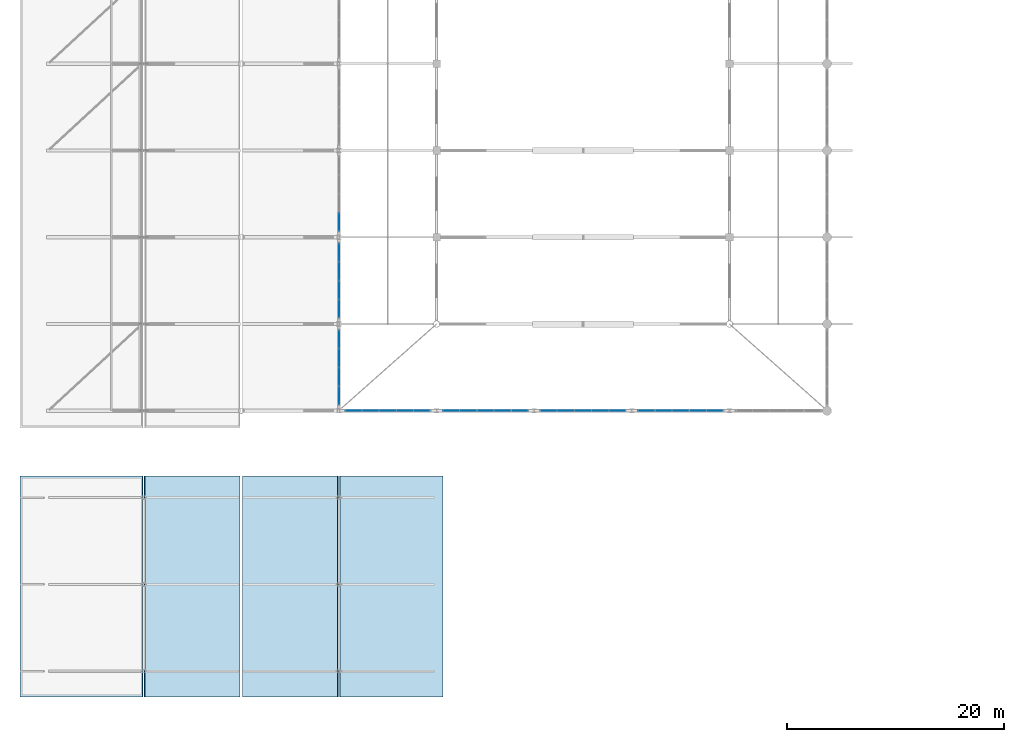
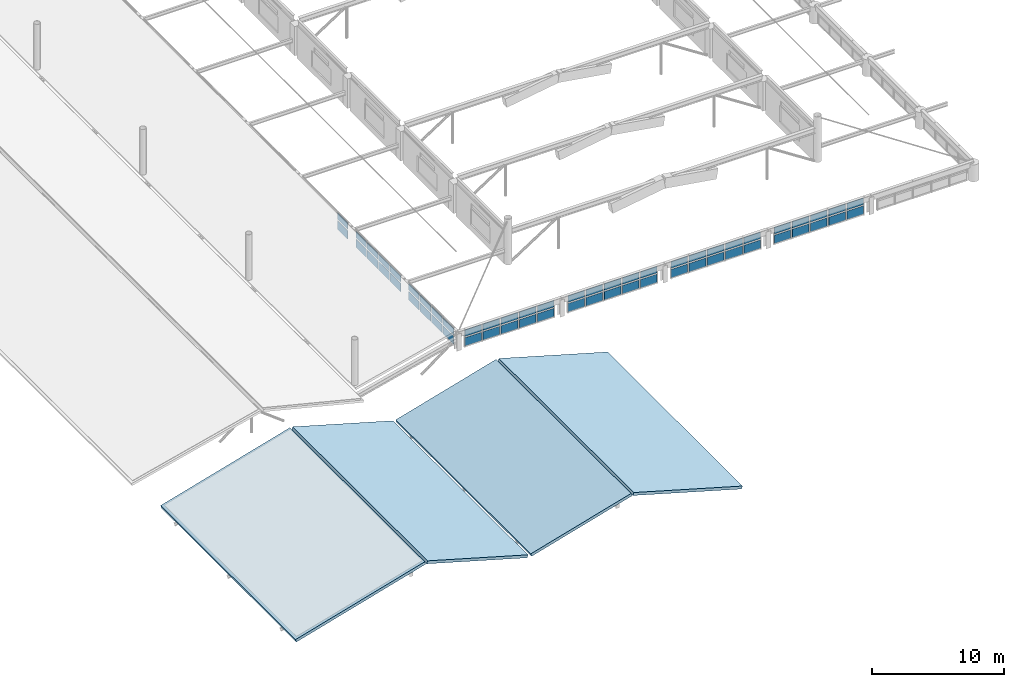
# One storey, part 100 of 128: 58 plates, 4 slabs, 9 elements without a shape of their own.
"""IFC4 building model written with IfcOpenShell, lengths in metres."""

from ifc_helpers import new_model, si_unit, derived_unit, direction, frame, origin, origin_2d, place, context, subcontext, project, spatial, polyline, rectangle, outline, extrude, material, layer, layer_set, type_object, element, aggregate, save


model = new_model("IFC4")

# Units and contexts
model_context = context("Model", 3, precision=1e-05, world=origin(), true_north=direction((0.0, 1.0)))
body_context = subcontext(model_context, "Body", "Model", "MODEL_VIEW")
ifc_project = project(units=[si_unit("LENGTHUNIT", "METRE"), si_unit("AREAUNIT", "SQUARE_METRE"), si_unit("VOLUMEUNIT", "CUBIC_METRE"), si_unit("PLANEANGLEUNIT", "RADIAN"), si_unit("MASSUNIT", "GRAM", prefix="KILO"), derived_unit("THERMALTRANSMITTANCEUNIT", [(si_unit("MASSUNIT", "GRAM", prefix="KILO"), 1), (si_unit("TIMEUNIT", "SECOND"), -3), (si_unit("THERMODYNAMICTEMPERATUREUNIT", "KELVIN"), -1)])], contexts=[model_context])

# Site, building, storey
site_placement = place(None, origin())
site = spatial("IfcSite", under=ifc_project, at=site_placement, CompositionType="ELEMENT")
building_placement = place(site_placement, origin())
building = spatial("IfcBuilding", under=site, at=building_placement, Name="Zhenchuan Archway Interchange", CompositionType="ELEMENT")
storey_placement = place(building_placement, frame((0.0, 0.0, 14.39990234375)))
storey = spatial("IfcBuildingStorey", under=building, at=storey_placement, Name="L03", CompositionType="ELEMENT", Elevation=14.39990234375)

# Curtain wall, plates
ifc_material_1 = material(Name="Anodised Aluminium", Category="aluminium")
curtain_wall_type_1 = type_object("IfcCurtainWallType", Name="CW_UNIT_3", PredefinedType="NOTDEFINED", material=ifc_material_1)
curtain_wall_1_placement = place(storey_placement, origin())
curtain_wall_1 = element("IfcCurtainWall", 1, at=curtain_wall_1_placement, inside=storey, type_object=curtain_wall_type_1, Name="Unitised curtain wall CW:L03:RING-W1", PredefinedType="NOTDEFINED")
ifc_material_2 = material(Name="Double Low-E Insulated Glazing", Category="glass")
ifc_layer_1 = layer(ifc_material_2, 0.028076171875)
ifc_layer_set_1 = layer_set([ifc_layer_1], Name="Double Low-E Insulated Glazing")
plate_type_1 = type_object("IfcPlateType", Name="CW_GLZ_1", PredefinedType="CURTAIN_PANEL", material=ifc_layer_set_1)
plate_1_placement = place(storey_placement, frame((27.0, 25.39990234375, 0.10009765625), z_axis=(0.0, 0.0, 1.0), x_axis=(0.0, 1.0, 0.0)))
plate_1 = element("IfcPlate", 2, at=plate_1_placement, type_object=plate_type_1, Name="CW:L03:RING-W1 lower glazing panel 0", PredefinedType="CURTAIN_PANEL", context=body_context, shape_type="SweptSolid", body=[
    extrude(rectangle(XDim=1.580078125, YDim=0.028076171875, at=origin_2d()), origin(), (0.0, 0.0, 1.0), 0.77294921875),
])
plate_2_placement = place(storey_placement, frame((27.0, 30.60009765625, 0.10009765625), z_axis=(0.0, 0.0, 1.0), x_axis=(0.0, 1.0, 0.0)))
plate_2 = element("IfcPlate", 3, at=plate_2_placement, type_object=plate_type_1, Name="CW:L03:RING-W1 lower glazing panel 3", PredefinedType="CURTAIN_PANEL", context=body_context, shape_type="SweptSolid", body=[
    extrude(rectangle(XDim=1.580078125, YDim=0.028076171875, at=origin_2d()), origin(), (0.0, 0.0, 1.0), 0.77294921875),
])

curtain_wall_2_placement = place(storey_placement, origin())
curtain_wall_2 = element("IfcCurtainWall", 4, at=curtain_wall_2_placement, inside=storey, type_object=curtain_wall_type_1, Name="Unitised curtain wall CW:L03:RING-W2", PredefinedType="NOTDEFINED")
plate_3_placement = place(storey_placement, frame((27.0, 33.39990234375, 0.10009765625), z_axis=(0.0, 0.0, 1.0), x_axis=(0.0, 1.0, 0.0)))
plate_3 = element("IfcPlate", 5, at=plate_3_placement, type_object=plate_type_1, Name="CW:L03:RING-W2 lower glazing panel 0", PredefinedType="CURTAIN_PANEL", context=body_context, shape_type="SweptSolid", body=[
    extrude(rectangle(XDim=1.580078125, YDim=0.028076171875, at=origin_2d()), origin(), (0.0, 0.0, 1.0), 0.77294921875),
])
plate_4_placement = place(storey_placement, frame((27.0, 38.60009765625, 0.10009765625), z_axis=(0.0, 0.0, 1.0), x_axis=(0.0, 1.0, 0.0)))
plate_4 = element("IfcPlate", 6, at=plate_4_placement, type_object=plate_type_1, Name="CW:L03:RING-W2 lower glazing panel 3", PredefinedType="CURTAIN_PANEL", context=body_context, shape_type="SweptSolid", body=[
    extrude(rectangle(XDim=1.580078125, YDim=0.028076171875, at=origin_2d()), origin(), (0.0, 0.0, 1.0), 0.77294921875),
])

# Curtain wall, plate
curtain_wall_3_placement = place(storey_placement, origin())
curtain_wall_3 = element("IfcCurtainWall", 7, at=curtain_wall_3_placement, inside=storey, type_object=curtain_wall_type_1, Name="Unitised curtain wall CW:L03:RING-W3", PredefinedType="NOTDEFINED")
plate_5_placement = place(storey_placement, frame((27.0, 41.39990234375, 0.10009765625), z_axis=(0.0, 0.0, 1.0), x_axis=(0.0, 1.0, 0.0)))
plate_5 = element("IfcPlate", 8, at=plate_5_placement, type_object=plate_type_1, Name="CW:L03:RING-W3 lower glazing panel 0", PredefinedType="CURTAIN_PANEL", context=body_context, shape_type="SweptSolid", body=[
    extrude(rectangle(XDim=1.580078125, YDim=0.028076171875, at=origin_2d()), origin(), (0.0, 0.0, 1.0), 0.77294921875),
])

# Curtain wall, plates
curtain_wall_type_2 = type_object("IfcCurtainWallType", Name="CW_UNIT_4", PredefinedType="NOTDEFINED", material=ifc_material_1)
curtain_wall_4_placement = place(storey_placement, origin())
curtain_wall_4 = element("IfcCurtainWall", 9, at=curtain_wall_4_placement, inside=storey, type_object=curtain_wall_type_2, Name="Unitised curtain wall CW:L03:RING-S1", PredefinedType="NOTDEFINED")
plate_6_placement = place(storey_placement, frame((28.325927734375, 24.0, 0.10009765625), z_axis=(0.0, 0.0, 1.0), x_axis=(1.0, 0.0, 0.0)))
plate_6 = element("IfcPlate", 10, at=plate_6_placement, type_object=plate_type_1, Name="CW:L03:RING-S1 lower glazing panel 0", PredefinedType="CURTAIN_PANEL", context=body_context, shape_type="SweptSolid", body=[
    extrude(rectangle(XDim=1.431884765625, YDim=0.028076171875, at=origin_2d()), origin(), (0.0, 0.0, 1.0), 0.77294921875),
])
plate_7_placement = place(storey_placement, frame((29.907958984375, 24.0, 0.10009765625), z_axis=(0.0, 0.0, 1.0), x_axis=(1.0, 0.0, 0.0)))
plate_7 = element("IfcPlate", 11, at=plate_7_placement, type_object=plate_type_1, Name="CW:L03:RING-S1 lower glazing panel 1", PredefinedType="CURTAIN_PANEL", context=body_context, shape_type="SweptSolid", body=[
    extrude(rectangle(XDim=1.451904296875, YDim=0.028076171875, at=origin_2d()), origin(), (0.0, 0.0, 1.0), 0.77294921875),
])
plate_8_placement = place(storey_placement, frame((31.5, 24.0, 0.10009765625), z_axis=(0.0, 0.0, 1.0), x_axis=(1.0, 0.0, 0.0)))
plate_8 = element("IfcPlate", 12, at=plate_8_placement, type_object=plate_type_1, Name="CW:L03:RING-S1 lower glazing panel 2", PredefinedType="CURTAIN_PANEL", context=body_context, shape_type="SweptSolid", body=[
    extrude(rectangle(XDim=1.451904296875, YDim=0.028076171875, at=origin_2d()), origin(), (0.0, 0.0, 1.0), 0.77294921875),
])
plate_9_placement = place(storey_placement, frame((33.092041015625, 24.0, 0.10009765625), z_axis=(0.0, 0.0, 1.0), x_axis=(1.0, 0.0, 0.0)))
plate_9 = element("IfcPlate", 13, at=plate_9_placement, type_object=plate_type_1, Name="CW:L03:RING-S1 lower glazing panel 3", PredefinedType="CURTAIN_PANEL", context=body_context, shape_type="SweptSolid", body=[
    extrude(rectangle(XDim=1.451904296875, YDim=0.028076171875, at=origin_2d()), origin(), (0.0, 0.0, 1.0), 0.77294921875),
])
plate_10_placement = place(storey_placement, frame((34.674072265625, 24.0, 0.10009765625), z_axis=(0.0, 0.0, 1.0), x_axis=(1.0, 0.0, 0.0)))
plate_10 = element("IfcPlate", 14, at=plate_10_placement, type_object=plate_type_1, Name="CW:L03:RING-S1 lower glazing panel 4", PredefinedType="CURTAIN_PANEL", context=body_context, shape_type="SweptSolid", body=[
    extrude(rectangle(XDim=1.431884765625, YDim=0.028076171875, at=origin_2d()), origin(), (0.0, 0.0, 1.0), 0.77294921875),
])

curtain_wall_5_placement = place(storey_placement, origin())
curtain_wall_5 = element("IfcCurtainWall", 15, at=curtain_wall_5_placement, inside=storey, type_object=curtain_wall_type_2, Name="Unitised curtain wall CW:L03:RING-S2", PredefinedType="NOTDEFINED")
plate_11_placement = place(storey_placement, frame((37.325927734375, 24.0, 0.10009765625), z_axis=(0.0, 0.0, 1.0), x_axis=(1.0, 0.0, 0.0)))
plate_11 = element("IfcPlate", 16, at=plate_11_placement, type_object=plate_type_1, Name="CW:L03:RING-S2 lower glazing panel 0", PredefinedType="CURTAIN_PANEL", context=body_context, shape_type="SweptSolid", body=[
    extrude(rectangle(XDim=1.431884765625, YDim=0.028076171875, at=origin_2d()), origin(), (0.0, 0.0, 1.0), 0.77294921875),
])
plate_12_placement = place(storey_placement, frame((38.907958984375, 24.0, 0.10009765625), z_axis=(0.0, 0.0, 1.0), x_axis=(1.0, 0.0, 0.0)))
plate_12 = element("IfcPlate", 17, at=plate_12_placement, type_object=plate_type_1, Name="CW:L03:RING-S2 lower glazing panel 1", PredefinedType="CURTAIN_PANEL", context=body_context, shape_type="SweptSolid", body=[
    extrude(rectangle(XDim=1.451904296875, YDim=0.028076171875, at=origin_2d()), origin(), (0.0, 0.0, 1.0), 0.77294921875),
])
plate_13_placement = place(storey_placement, frame((40.5, 24.0, 0.10009765625), z_axis=(0.0, 0.0, 1.0), x_axis=(1.0, 0.0, 0.0)))
plate_13 = element("IfcPlate", 18, at=plate_13_placement, type_object=plate_type_1, Name="CW:L03:RING-S2 lower glazing panel 2", PredefinedType="CURTAIN_PANEL", context=body_context, shape_type="SweptSolid", body=[
    extrude(rectangle(XDim=1.451904296875, YDim=0.028076171875, at=origin_2d()), origin(), (0.0, 0.0, 1.0), 0.77294921875),
])
plate_14_placement = place(storey_placement, frame((42.092041015625, 24.0, 0.10009765625), z_axis=(0.0, 0.0, 1.0), x_axis=(1.0, 0.0, 0.0)))
plate_14 = element("IfcPlate", 19, at=plate_14_placement, type_object=plate_type_1, Name="CW:L03:RING-S2 lower glazing panel 3", PredefinedType="CURTAIN_PANEL", context=body_context, shape_type="SweptSolid", body=[
    extrude(rectangle(XDim=1.451904296875, YDim=0.028076171875, at=origin_2d()), origin(), (0.0, 0.0, 1.0), 0.77294921875),
])
plate_15_placement = place(storey_placement, frame((43.674072265625, 24.0, 0.10009765625), z_axis=(0.0, 0.0, 1.0), x_axis=(1.0, 0.0, 0.0)))
plate_15 = element("IfcPlate", 20, at=plate_15_placement, type_object=plate_type_1, Name="CW:L03:RING-S2 lower glazing panel 4", PredefinedType="CURTAIN_PANEL", context=body_context, shape_type="SweptSolid", body=[
    extrude(rectangle(XDim=1.431884765625, YDim=0.028076171875, at=origin_2d()), origin(), (0.0, 0.0, 1.0), 0.77294921875),
])

curtain_wall_6_placement = place(storey_placement, origin())
curtain_wall_6 = element("IfcCurtainWall", 21, at=curtain_wall_6_placement, inside=storey, type_object=curtain_wall_type_2, Name="Unitised curtain wall CW:L03:RING-S3", PredefinedType="NOTDEFINED")
plate_16_placement = place(storey_placement, frame((46.325927734375, 24.0, 0.10009765625), z_axis=(0.0, 0.0, 1.0), x_axis=(1.0, 0.0, 0.0)))
plate_16 = element("IfcPlate", 22, at=plate_16_placement, type_object=plate_type_1, Name="CW:L03:RING-S3 lower glazing panel 0", PredefinedType="CURTAIN_PANEL", context=body_context, shape_type="SweptSolid", body=[
    extrude(rectangle(XDim=1.431884765625, YDim=0.028076171875, at=origin_2d()), origin(), (0.0, 0.0, 1.0), 0.77294921875),
])
plate_17_placement = place(storey_placement, frame((47.907958984375, 24.0, 0.10009765625), z_axis=(0.0, 0.0, 1.0), x_axis=(1.0, 0.0, 0.0)))
plate_17 = element("IfcPlate", 23, at=plate_17_placement, type_object=plate_type_1, Name="CW:L03:RING-S3 lower glazing panel 1", PredefinedType="CURTAIN_PANEL", context=body_context, shape_type="SweptSolid", body=[
    extrude(rectangle(XDim=1.451904296875, YDim=0.028076171875, at=origin_2d()), origin(), (0.0, 0.0, 1.0), 0.77294921875),
])
plate_18_placement = place(storey_placement, frame((49.5, 24.0, 0.10009765625), z_axis=(0.0, 0.0, 1.0), x_axis=(1.0, 0.0, 0.0)))
plate_18 = element("IfcPlate", 24, at=plate_18_placement, type_object=plate_type_1, Name="CW:L03:RING-S3 lower glazing panel 2", PredefinedType="CURTAIN_PANEL", context=body_context, shape_type="SweptSolid", body=[
    extrude(rectangle(XDim=1.451904296875, YDim=0.028076171875, at=origin_2d()), origin(), (0.0, 0.0, 1.0), 0.77294921875),
])
plate_19_placement = place(storey_placement, frame((51.092041015625, 24.0, 0.10009765625), z_axis=(0.0, 0.0, 1.0), x_axis=(1.0, 0.0, 0.0)))
plate_19 = element("IfcPlate", 25, at=plate_19_placement, type_object=plate_type_1, Name="CW:L03:RING-S3 lower glazing panel 3", PredefinedType="CURTAIN_PANEL", context=body_context, shape_type="SweptSolid", body=[
    extrude(rectangle(XDim=1.451904296875, YDim=0.028076171875, at=origin_2d()), origin(), (0.0, 0.0, 1.0), 0.77294921875),
])
plate_20_placement = place(storey_placement, frame((52.674072265625, 24.0, 0.10009765625), z_axis=(0.0, 0.0, 1.0), x_axis=(1.0, 0.0, 0.0)))
plate_20 = element("IfcPlate", 26, at=plate_20_placement, type_object=plate_type_1, Name="CW:L03:RING-S3 lower glazing panel 4", PredefinedType="CURTAIN_PANEL", context=body_context, shape_type="SweptSolid", body=[
    extrude(rectangle(XDim=1.431884765625, YDim=0.028076171875, at=origin_2d()), origin(), (0.0, 0.0, 1.0), 0.77294921875),
])

curtain_wall_7_placement = place(storey_placement, origin())
curtain_wall_7 = element("IfcCurtainWall", 27, at=curtain_wall_7_placement, inside=storey, type_object=curtain_wall_type_2, Name="Unitised curtain wall CW:L03:RING-S4", PredefinedType="NOTDEFINED")
plate_21_placement = place(storey_placement, frame((55.325927734375, 24.0, 0.10009765625), z_axis=(0.0, 0.0, 1.0), x_axis=(1.0, 0.0, 0.0)))
plate_21 = element("IfcPlate", 28, at=plate_21_placement, type_object=plate_type_1, Name="CW:L03:RING-S4 lower glazing panel 0", PredefinedType="CURTAIN_PANEL", context=body_context, shape_type="SweptSolid", body=[
    extrude(rectangle(XDim=1.431884765625, YDim=0.028076171875, at=origin_2d()), origin(), (0.0, 0.0, 1.0), 0.77294921875),
])
plate_22_placement = place(storey_placement, frame((56.907958984375, 24.0, 0.10009765625), z_axis=(0.0, 0.0, 1.0), x_axis=(1.0, 0.0, 0.0)))
plate_22 = element("IfcPlate", 29, at=plate_22_placement, type_object=plate_type_1, Name="CW:L03:RING-S4 lower glazing panel 1", PredefinedType="CURTAIN_PANEL", context=body_context, shape_type="SweptSolid", body=[
    extrude(rectangle(XDim=1.451904296875, YDim=0.028076171875, at=origin_2d()), origin(), (0.0, 0.0, 1.0), 0.77294921875),
])
plate_23_placement = place(storey_placement, frame((58.5, 24.0, 0.10009765625), z_axis=(0.0, 0.0, 1.0), x_axis=(1.0, 0.0, 0.0)))
plate_23 = element("IfcPlate", 30, at=plate_23_placement, type_object=plate_type_1, Name="CW:L03:RING-S4 lower glazing panel 2", PredefinedType="CURTAIN_PANEL", context=body_context, shape_type="SweptSolid", body=[
    extrude(rectangle(XDim=1.451904296875, YDim=0.028076171875, at=origin_2d()), origin(), (0.0, 0.0, 1.0), 0.77294921875),
])
plate_24_placement = place(storey_placement, frame((60.092041015625, 24.0, 0.10009765625), z_axis=(0.0, 0.0, 1.0), x_axis=(1.0, 0.0, 0.0)))
plate_24 = element("IfcPlate", 31, at=plate_24_placement, type_object=plate_type_1, Name="CW:L03:RING-S4 lower glazing panel 3", PredefinedType="CURTAIN_PANEL", context=body_context, shape_type="SweptSolid", body=[
    extrude(rectangle(XDim=1.451904296875, YDim=0.028076171875, at=origin_2d()), origin(), (0.0, 0.0, 1.0), 0.77294921875),
])
plate_25_placement = place(storey_placement, frame((61.674072265625, 24.0, 0.10009765625), z_axis=(0.0, 0.0, 1.0), x_axis=(1.0, 0.0, 0.0)))
plate_25 = element("IfcPlate", 32, at=plate_25_placement, type_object=plate_type_1, Name="CW:L03:RING-S4 lower glazing panel 4", PredefinedType="CURTAIN_PANEL", context=body_context, shape_type="SweptSolid", body=[
    extrude(rectangle(XDim=1.431884765625, YDim=0.028076171875, at=origin_2d()), origin(), (0.0, 0.0, 1.0), 0.77294921875),
])

# Plate
ifc_layer_2 = layer(ifc_material_2, 0.02587890625)
ifc_layer_set_2 = layer_set([ifc_layer_2], Name="Double Low-E Insulated Glazing")
plate_type_2 = type_object("IfcPlateType", Name="CW_GLZ_2", PredefinedType="CURTAIN_PANEL", material=ifc_layer_set_2)
plate_26_placement = place(storey_placement, frame((27.0, 25.39990234375, 0.9931640625), z_axis=(0.0, 0.0, 1.0), x_axis=(0.0, 1.0, 0.0)))
plate_26 = element("IfcPlate", 33, at=plate_26_placement, type_object=plate_type_2, Name="CW:L03:RING-W1 upper glazing panel 0", PredefinedType="CURTAIN_PANEL", context=body_context, shape_type="SweptSolid", body=[
    extrude(rectangle(XDim=1.580078125, YDim=0.02587890625, at=origin_2d()), origin(), (0.0, 0.0, 1.0), 0.60693359375),
])

plate_27_placement = place(storey_placement, frame((27.0, 30.60009765625, 0.9931640625), z_axis=(0.0, 0.0, 1.0), x_axis=(0.0, 1.0, 0.0)))
plate_27 = element("IfcPlate", 34, at=plate_27_placement, type_object=plate_type_2, Name="CW:L03:RING-W1 upper glazing panel 3", PredefinedType="CURTAIN_PANEL", context=body_context, shape_type="SweptSolid", body=[
    extrude(rectangle(XDim=1.580078125, YDim=0.02587890625, at=origin_2d()), origin(), (0.0, 0.0, 1.0), 0.60693359375),
])

plate_28_placement = place(storey_placement, frame((27.0, 33.39990234375, 0.9931640625), z_axis=(0.0, 0.0, 1.0), x_axis=(0.0, 1.0, 0.0)))
plate_28 = element("IfcPlate", 35, at=plate_28_placement, type_object=plate_type_2, Name="CW:L03:RING-W2 upper glazing panel 0", PredefinedType="CURTAIN_PANEL", context=body_context, shape_type="SweptSolid", body=[
    extrude(rectangle(XDim=1.580078125, YDim=0.02587890625, at=origin_2d()), origin(), (0.0, 0.0, 1.0), 0.60693359375),
])

plate_29_placement = place(storey_placement, frame((27.0, 38.60009765625, 0.9931640625), z_axis=(0.0, 0.0, 1.0), x_axis=(0.0, 1.0, 0.0)))
plate_29 = element("IfcPlate", 36, at=plate_29_placement, type_object=plate_type_2, Name="CW:L03:RING-W2 upper glazing panel 3", PredefinedType="CURTAIN_PANEL", context=body_context, shape_type="SweptSolid", body=[
    extrude(rectangle(XDim=1.580078125, YDim=0.02587890625, at=origin_2d()), origin(), (0.0, 0.0, 1.0), 0.60693359375),
])

plate_30_placement = place(storey_placement, frame((27.0, 41.39990234375, 0.9931640625), z_axis=(0.0, 0.0, 1.0), x_axis=(0.0, 1.0, 0.0)))
plate_30 = element("IfcPlate", 37, at=plate_30_placement, type_object=plate_type_2, Name="CW:L03:RING-W3 upper glazing panel 0", PredefinedType="CURTAIN_PANEL", context=body_context, shape_type="SweptSolid", body=[
    extrude(rectangle(XDim=1.580078125, YDim=0.02587890625, at=origin_2d()), origin(), (0.0, 0.0, 1.0), 0.60693359375),
])

aggregate(curtain_wall_3, [plate_5, plate_30])

plate_31_placement = place(storey_placement, frame((28.325927734375, 24.0, 0.9931640625), z_axis=(0.0, 0.0, 1.0), x_axis=(1.0, 0.0, 0.0)))
plate_31 = element("IfcPlate", 38, at=plate_31_placement, type_object=plate_type_2, Name="CW:L03:RING-S1 upper glazing panel 0", PredefinedType="CURTAIN_PANEL", context=body_context, shape_type="SweptSolid", body=[
    extrude(rectangle(XDim=1.431884765625, YDim=0.02587890625, at=origin_2d()), origin(), (0.0, 0.0, 1.0), 0.60693359375),
])

plate_32_placement = place(storey_placement, frame((29.907958984375, 24.0, 0.9931640625), z_axis=(0.0, 0.0, 1.0), x_axis=(1.0, 0.0, 0.0)))
plate_32 = element("IfcPlate", 39, at=plate_32_placement, type_object=plate_type_2, Name="CW:L03:RING-S1 upper glazing panel 1", PredefinedType="CURTAIN_PANEL", context=body_context, shape_type="SweptSolid", body=[
    extrude(rectangle(XDim=1.451904296875, YDim=0.02587890625, at=origin_2d()), origin(), (0.0, 0.0, 1.0), 0.60693359375),
])

plate_33_placement = place(storey_placement, frame((31.5, 24.0, 0.9931640625), z_axis=(0.0, 0.0, 1.0), x_axis=(1.0, 0.0, 0.0)))
plate_33 = element("IfcPlate", 40, at=plate_33_placement, type_object=plate_type_2, Name="CW:L03:RING-S1 upper glazing panel 2", PredefinedType="CURTAIN_PANEL", context=body_context, shape_type="SweptSolid", body=[
    extrude(rectangle(XDim=1.451904296875, YDim=0.02587890625, at=origin_2d()), origin(), (0.0, 0.0, 1.0), 0.60693359375),
])

plate_34_placement = place(storey_placement, frame((33.092041015625, 24.0, 0.9931640625), z_axis=(0.0, 0.0, 1.0), x_axis=(1.0, 0.0, 0.0)))
plate_34 = element("IfcPlate", 41, at=plate_34_placement, type_object=plate_type_2, Name="CW:L03:RING-S1 upper glazing panel 3", PredefinedType="CURTAIN_PANEL", context=body_context, shape_type="SweptSolid", body=[
    extrude(rectangle(XDim=1.451904296875, YDim=0.02587890625, at=origin_2d()), origin(), (0.0, 0.0, 1.0), 0.60693359375),
])

plate_35_placement = place(storey_placement, frame((34.674072265625, 24.0, 0.9931640625), z_axis=(0.0, 0.0, 1.0), x_axis=(1.0, 0.0, 0.0)))
plate_35 = element("IfcPlate", 42, at=plate_35_placement, type_object=plate_type_2, Name="CW:L03:RING-S1 upper glazing panel 4", PredefinedType="CURTAIN_PANEL", context=body_context, shape_type="SweptSolid", body=[
    extrude(rectangle(XDim=1.431884765625, YDim=0.02587890625, at=origin_2d()), origin(), (0.0, 0.0, 1.0), 0.60693359375),
])

aggregate(curtain_wall_4, [plate_6, plate_31, plate_7, plate_32, plate_8, plate_33, plate_9, plate_34, plate_10, plate_35])

plate_36_placement = place(storey_placement, frame((37.325927734375, 24.0, 0.9931640625), z_axis=(0.0, 0.0, 1.0), x_axis=(1.0, 0.0, 0.0)))
plate_36 = element("IfcPlate", 43, at=plate_36_placement, type_object=plate_type_2, Name="CW:L03:RING-S2 upper glazing panel 0", PredefinedType="CURTAIN_PANEL", context=body_context, shape_type="SweptSolid", body=[
    extrude(rectangle(XDim=1.431884765625, YDim=0.02587890625, at=origin_2d()), origin(), (0.0, 0.0, 1.0), 0.60693359375),
])

plate_37_placement = place(storey_placement, frame((38.907958984375, 24.0, 0.9931640625), z_axis=(0.0, 0.0, 1.0), x_axis=(1.0, 0.0, 0.0)))
plate_37 = element("IfcPlate", 44, at=plate_37_placement, type_object=plate_type_2, Name="CW:L03:RING-S2 upper glazing panel 1", PredefinedType="CURTAIN_PANEL", context=body_context, shape_type="SweptSolid", body=[
    extrude(rectangle(XDim=1.451904296875, YDim=0.02587890625, at=origin_2d()), origin(), (0.0, 0.0, 1.0), 0.60693359375),
])

plate_38_placement = place(storey_placement, frame((40.5, 24.0, 0.9931640625), z_axis=(0.0, 0.0, 1.0), x_axis=(1.0, 0.0, 0.0)))
plate_38 = element("IfcPlate", 45, at=plate_38_placement, type_object=plate_type_2, Name="CW:L03:RING-S2 upper glazing panel 2", PredefinedType="CURTAIN_PANEL", context=body_context, shape_type="SweptSolid", body=[
    extrude(rectangle(XDim=1.451904296875, YDim=0.02587890625, at=origin_2d()), origin(), (0.0, 0.0, 1.0), 0.60693359375),
])

plate_39_placement = place(storey_placement, frame((42.092041015625, 24.0, 0.9931640625), z_axis=(0.0, 0.0, 1.0), x_axis=(1.0, 0.0, 0.0)))
plate_39 = element("IfcPlate", 46, at=plate_39_placement, type_object=plate_type_2, Name="CW:L03:RING-S2 upper glazing panel 3", PredefinedType="CURTAIN_PANEL", context=body_context, shape_type="SweptSolid", body=[
    extrude(rectangle(XDim=1.451904296875, YDim=0.02587890625, at=origin_2d()), origin(), (0.0, 0.0, 1.0), 0.60693359375),
])

plate_40_placement = place(storey_placement, frame((43.674072265625, 24.0, 0.9931640625), z_axis=(0.0, 0.0, 1.0), x_axis=(1.0, 0.0, 0.0)))
plate_40 = element("IfcPlate", 47, at=plate_40_placement, type_object=plate_type_2, Name="CW:L03:RING-S2 upper glazing panel 4", PredefinedType="CURTAIN_PANEL", context=body_context, shape_type="SweptSolid", body=[
    extrude(rectangle(XDim=1.431884765625, YDim=0.02587890625, at=origin_2d()), origin(), (0.0, 0.0, 1.0), 0.60693359375),
])

aggregate(curtain_wall_5, [plate_11, plate_36, plate_12, plate_37, plate_13, plate_38, plate_14, plate_39, plate_15, plate_40])

plate_41_placement = place(storey_placement, frame((46.325927734375, 24.0, 0.9931640625), z_axis=(0.0, 0.0, 1.0), x_axis=(1.0, 0.0, 0.0)))
plate_41 = element("IfcPlate", 48, at=plate_41_placement, type_object=plate_type_2, Name="CW:L03:RING-S3 upper glazing panel 0", PredefinedType="CURTAIN_PANEL", context=body_context, shape_type="SweptSolid", body=[
    extrude(rectangle(XDim=1.431884765625, YDim=0.02587890625, at=origin_2d()), origin(), (0.0, 0.0, 1.0), 0.60693359375),
])

plate_42_placement = place(storey_placement, frame((47.907958984375, 24.0, 0.9931640625), z_axis=(0.0, 0.0, 1.0), x_axis=(1.0, 0.0, 0.0)))
plate_42 = element("IfcPlate", 49, at=plate_42_placement, type_object=plate_type_2, Name="CW:L03:RING-S3 upper glazing panel 1", PredefinedType="CURTAIN_PANEL", context=body_context, shape_type="SweptSolid", body=[
    extrude(rectangle(XDim=1.451904296875, YDim=0.02587890625, at=origin_2d()), origin(), (0.0, 0.0, 1.0), 0.60693359375),
])

plate_43_placement = place(storey_placement, frame((49.5, 24.0, 0.9931640625), z_axis=(0.0, 0.0, 1.0), x_axis=(1.0, 0.0, 0.0)))
plate_43 = element("IfcPlate", 50, at=plate_43_placement, type_object=plate_type_2, Name="CW:L03:RING-S3 upper glazing panel 2", PredefinedType="CURTAIN_PANEL", context=body_context, shape_type="SweptSolid", body=[
    extrude(rectangle(XDim=1.451904296875, YDim=0.02587890625, at=origin_2d()), origin(), (0.0, 0.0, 1.0), 0.60693359375),
])

plate_44_placement = place(storey_placement, frame((51.092041015625, 24.0, 0.9931640625), z_axis=(0.0, 0.0, 1.0), x_axis=(1.0, 0.0, 0.0)))
plate_44 = element("IfcPlate", 51, at=plate_44_placement, type_object=plate_type_2, Name="CW:L03:RING-S3 upper glazing panel 3", PredefinedType="CURTAIN_PANEL", context=body_context, shape_type="SweptSolid", body=[
    extrude(rectangle(XDim=1.451904296875, YDim=0.02587890625, at=origin_2d()), origin(), (0.0, 0.0, 1.0), 0.60693359375),
])

plate_45_placement = place(storey_placement, frame((52.674072265625, 24.0, 0.9931640625), z_axis=(0.0, 0.0, 1.0), x_axis=(1.0, 0.0, 0.0)))
plate_45 = element("IfcPlate", 52, at=plate_45_placement, type_object=plate_type_2, Name="CW:L03:RING-S3 upper glazing panel 4", PredefinedType="CURTAIN_PANEL", context=body_context, shape_type="SweptSolid", body=[
    extrude(rectangle(XDim=1.431884765625, YDim=0.02587890625, at=origin_2d()), origin(), (0.0, 0.0, 1.0), 0.60693359375),
])

aggregate(curtain_wall_6, [plate_16, plate_41, plate_17, plate_42, plate_18, plate_43, plate_19, plate_44, plate_20, plate_45])

plate_46_placement = place(storey_placement, frame((55.325927734375, 24.0, 0.9931640625), z_axis=(0.0, 0.0, 1.0), x_axis=(1.0, 0.0, 0.0)))
plate_46 = element("IfcPlate", 53, at=plate_46_placement, type_object=plate_type_2, Name="CW:L03:RING-S4 upper glazing panel 0", PredefinedType="CURTAIN_PANEL", context=body_context, shape_type="SweptSolid", body=[
    extrude(rectangle(XDim=1.431884765625, YDim=0.02587890625, at=origin_2d()), origin(), (0.0, 0.0, 1.0), 0.60693359375),
])

plate_47_placement = place(storey_placement, frame((56.907958984375, 24.0, 0.9931640625), z_axis=(0.0, 0.0, 1.0), x_axis=(1.0, 0.0, 0.0)))
plate_47 = element("IfcPlate", 54, at=plate_47_placement, type_object=plate_type_2, Name="CW:L03:RING-S4 upper glazing panel 1", PredefinedType="CURTAIN_PANEL", context=body_context, shape_type="SweptSolid", body=[
    extrude(rectangle(XDim=1.451904296875, YDim=0.02587890625, at=origin_2d()), origin(), (0.0, 0.0, 1.0), 0.60693359375),
])

plate_48_placement = place(storey_placement, frame((58.5, 24.0, 0.9931640625), z_axis=(0.0, 0.0, 1.0), x_axis=(1.0, 0.0, 0.0)))
plate_48 = element("IfcPlate", 55, at=plate_48_placement, type_object=plate_type_2, Name="CW:L03:RING-S4 upper glazing panel 2", PredefinedType="CURTAIN_PANEL", context=body_context, shape_type="SweptSolid", body=[
    extrude(rectangle(XDim=1.451904296875, YDim=0.02587890625, at=origin_2d()), origin(), (0.0, 0.0, 1.0), 0.60693359375),
])

plate_49_placement = place(storey_placement, frame((60.092041015625, 24.0, 0.9931640625), z_axis=(0.0, 0.0, 1.0), x_axis=(1.0, 0.0, 0.0)))
plate_49 = element("IfcPlate", 56, at=plate_49_placement, type_object=plate_type_2, Name="CW:L03:RING-S4 upper glazing panel 3", PredefinedType="CURTAIN_PANEL", context=body_context, shape_type="SweptSolid", body=[
    extrude(rectangle(XDim=1.451904296875, YDim=0.02587890625, at=origin_2d()), origin(), (0.0, 0.0, 1.0), 0.60693359375),
])

plate_50_placement = place(storey_placement, frame((61.674072265625, 24.0, 0.9931640625), z_axis=(0.0, 0.0, 1.0), x_axis=(1.0, 0.0, 0.0)))
plate_50 = element("IfcPlate", 57, at=plate_50_placement, type_object=plate_type_2, Name="CW:L03:RING-S4 upper glazing panel 4", PredefinedType="CURTAIN_PANEL", context=body_context, shape_type="SweptSolid", body=[
    extrude(rectangle(XDim=1.431884765625, YDim=0.02587890625, at=origin_2d()), origin(), (0.0, 0.0, 1.0), 0.60693359375),
])

aggregate(curtain_wall_7, [plate_21, plate_46, plate_22, plate_47, plate_23, plate_48, plate_24, plate_49, plate_25, plate_50])

ifc_layer_3 = layer(ifc_material_2, 0.030029296875)
ifc_layer_set_3 = layer_set([ifc_layer_3], Name="Double Low-E Insulated Glazing")
plate_type_3 = type_object("IfcPlateType", Name="CW_GLZ_3", PredefinedType="CURTAIN_PANEL", material=ifc_layer_set_3)
plate_51_placement = place(storey_placement, frame((27.0, 27.1298828125, 0.10009765625), z_axis=(0.0, 0.0, 1.0), x_axis=(0.0, 1.0, 0.0)))
plate_51 = element("IfcPlate", 58, at=plate_51_placement, type_object=plate_type_3, Name="CW:L03:RING-W1 lower glazing panel 1", PredefinedType="CURTAIN_PANEL", context=body_context, shape_type="SweptSolid", body=[
    extrude(rectangle(XDim=1.60009765625, YDim=0.028076171875, at=origin_2d()), origin(), (0.0, 0.0, 1.0), 0.77294921875),
])

plate_52_placement = place(storey_placement, frame((27.0, 28.8701171875, 0.10009765625), z_axis=(0.0, 0.0, 1.0), x_axis=(0.0, 1.0, 0.0)))
plate_52 = element("IfcPlate", 59, at=plate_52_placement, type_object=plate_type_3, Name="CW:L03:RING-W1 lower glazing panel 2", PredefinedType="CURTAIN_PANEL", context=body_context, shape_type="SweptSolid", body=[
    extrude(rectangle(XDim=1.60009765625, YDim=0.028076171875, at=origin_2d()), origin(), (0.0, 0.0, 1.0), 0.77294921875),
])

plate_53_placement = place(storey_placement, frame((27.0, 35.1298828125, 0.10009765625), z_axis=(0.0, 0.0, 1.0), x_axis=(0.0, 1.0, 0.0)))
plate_53 = element("IfcPlate", 60, at=plate_53_placement, type_object=plate_type_3, Name="CW:L03:RING-W2 lower glazing panel 1", PredefinedType="CURTAIN_PANEL", context=body_context, shape_type="SweptSolid", body=[
    extrude(rectangle(XDim=1.60009765625, YDim=0.028076171875, at=origin_2d()), origin(), (0.0, 0.0, 1.0), 0.77294921875),
])

plate_54_placement = place(storey_placement, frame((27.0, 36.8701171875, 0.10009765625), z_axis=(0.0, 0.0, 1.0), x_axis=(0.0, 1.0, 0.0)))
plate_54 = element("IfcPlate", 61, at=plate_54_placement, type_object=plate_type_3, Name="CW:L03:RING-W2 lower glazing panel 2", PredefinedType="CURTAIN_PANEL", context=body_context, shape_type="SweptSolid", body=[
    extrude(rectangle(XDim=1.60009765625, YDim=0.028076171875, at=origin_2d()), origin(), (0.0, 0.0, 1.0), 0.77294921875),
])

ifc_layer_4 = layer(ifc_material_2, 0.02392578125)
ifc_layer_set_4 = layer_set([ifc_layer_4], Name="Double Low-E Insulated Glazing")
plate_type_4 = type_object("IfcPlateType", Name="CW_GLZ_4", PredefinedType="CURTAIN_PANEL", material=ifc_layer_set_4)
plate_55_placement = place(storey_placement, frame((27.0, 27.1298828125, 0.9931640625), z_axis=(0.0, 0.0, 1.0), x_axis=(0.0, 1.0, 0.0)))
plate_55 = element("IfcPlate", 62, at=plate_55_placement, type_object=plate_type_4, Name="CW:L03:RING-W1 upper glazing panel 1", PredefinedType="CURTAIN_PANEL", context=body_context, shape_type="SweptSolid", body=[
    extrude(rectangle(XDim=1.60009765625, YDim=0.02587890625, at=origin_2d()), origin(), (0.0, 0.0, 1.0), 0.60693359375),
])

plate_56_placement = place(storey_placement, frame((27.0, 28.8701171875, 0.9931640625), z_axis=(0.0, 0.0, 1.0), x_axis=(0.0, 1.0, 0.0)))
plate_56 = element("IfcPlate", 63, at=plate_56_placement, type_object=plate_type_4, Name="CW:L03:RING-W1 upper glazing panel 2", PredefinedType="CURTAIN_PANEL", context=body_context, shape_type="SweptSolid", body=[
    extrude(rectangle(XDim=1.60009765625, YDim=0.02587890625, at=origin_2d()), origin(), (0.0, 0.0, 1.0), 0.60693359375),
])

aggregate(curtain_wall_1, [plate_1, plate_26, plate_51, plate_55, plate_52, plate_56, plate_2, plate_27])

plate_57_placement = place(storey_placement, frame((27.0, 35.1298828125, 0.9931640625), z_axis=(0.0, 0.0, 1.0), x_axis=(0.0, 1.0, 0.0)))
plate_57 = element("IfcPlate", 64, at=plate_57_placement, type_object=plate_type_4, Name="CW:L03:RING-W2 upper glazing panel 1", PredefinedType="CURTAIN_PANEL", context=body_context, shape_type="SweptSolid", body=[
    extrude(rectangle(XDim=1.60009765625, YDim=0.02587890625, at=origin_2d()), origin(), (0.0, 0.0, 1.0), 0.60693359375),
])

plate_58_placement = place(storey_placement, frame((27.0, 36.8701171875, 0.9931640625), z_axis=(0.0, 0.0, 1.0), x_axis=(0.0, 1.0, 0.0)))
plate_58 = element("IfcPlate", 65, at=plate_58_placement, type_object=plate_type_4, Name="CW:L03:RING-W2 upper glazing panel 2", PredefinedType="CURTAIN_PANEL", context=body_context, shape_type="SweptSolid", body=[
    extrude(rectangle(XDim=1.60009765625, YDim=0.02587890625, at=origin_2d()), origin(), (0.0, 0.0, 1.0), 0.60693359375),
])

aggregate(curtain_wall_2, [plate_3, plate_28, plate_53, plate_57, plate_54, plate_58, plate_4, plate_29])

# Roof, slabs
ifc_material_3 = material(Name="Steel Q355", Category="steel")
roof_type = type_object("IfcRoofType", Name="ROOF_FOLDED_PLATE", PredefinedType="FREEFORM", material=ifc_material_3)
roof_1_placement = place(storey_placement, origin())
roof_1 = element("IfcRoof", 66, at=roof_1_placement, inside=storey, type_object=roof_type, Name="Cycle Hub folded-plate butterfly roof bay 1", PredefinedType="FREEFORM")
ifc_material_4 = material(Name="Concrete C35", Category="concrete")
ifc_layer_5 = layer(ifc_material_4, 0.260009765625)
ifc_layer_set_5 = layer_set([ifc_layer_5], Name="Concrete C35")
slab_type = type_object("IfcSlabType", Name="SLB_ROOF_260", PredefinedType="ROOF", material=ifc_layer_set_5)
slab_1_placement = place(storey_placement, frame((-2.39990234375, -2.39990234375, -0.468017578125), z_axis=(-0.275614087429, 0.0, 0.961268367736), x_axis=(0.961268367736, 0.0, 0.275614087429)))
slab_1 = element("IfcSlab", 67, at=slab_1_placement, type_object=slab_type, Name="Cycle Hub folded-plate roof facet 1", PredefinedType="ROOF", context=body_context, shape_type="SweptSolid", body=[
    extrude(outline(polyline([(0.0, 0.0), (11.73427269099877, 0.0), (11.73427269099877, 20.39990234375), (0.0, 20.39990234375), (0.0, 0.0)])), origin(), (0.0, 0.0, -1.0), 0.260009765625),
])
slab_2_placement = place(storey_placement, frame((9.1201171875, -2.39990234375, 2.76611328125), z_axis=(0.275552578701, 0.0, 0.96128600134), x_axis=(0.96128600134, 0.0, -0.275552578701)))
slab_2 = element("IfcSlab", 68, at=slab_2_placement, type_object=slab_type, Name="Cycle Hub folded-plate roof facet 2", PredefinedType="ROOF", context=body_context, shape_type="SweptSolid", body=[
    extrude(outline(polyline([(0.0, 0.0), (9.112548828125, 0.0), (9.112548828125, 20.39990234375), (0.0, 20.39990234375), (0.0, 0.0)])), origin(), (0.0, 0.0, -1.0), 0.260009765625),
])
aggregate(roof_1, [slab_1, slab_2])

roof_2_placement = place(storey_placement, origin())
roof_2 = element("IfcRoof", 69, at=roof_2_placement, inside=storey, type_object=roof_type, Name="Cycle Hub folded-plate butterfly roof bay 2", PredefinedType="FREEFORM")
slab_3_placement = place(storey_placement, frame((18.1201171875, -2.39990234375, 0.255126953125), z_axis=(-0.275552578701, 0.0, 0.96128600134), x_axis=(0.96128600134, 0.0, 0.275552578701)))
slab_3 = element("IfcSlab", 70, at=slab_3_placement, type_object=slab_type, Name="Cycle Hub folded-plate roof facet 3", PredefinedType="ROOF", context=body_context, shape_type="SweptSolid", body=[
    extrude(outline(polyline([(0.0, 0.0), (9.112548828125, 0.0), (9.112548828125, 20.39990234375), (0.0, 20.39990234375), (0.0, 0.0)])), origin(), (0.0, 0.0, -1.0), 0.260009765625),
])
slab_4_placement = place(storey_placement, frame((27.1201171875, -2.39990234375, 2.76611328125), z_axis=(0.275607084505, 0.0, 0.961270375581), x_axis=(0.961270375581, 0.0, -0.275607084505)))
slab_4 = element("IfcSlab", 71, at=slab_4_placement, type_object=slab_type, Name="Cycle Hub folded-plate roof facet 4", PredefinedType="ROOF", context=body_context, shape_type="SweptSolid", body=[
    extrude(outline(polyline([(0.0, 0.0), (9.861929286041244, 0.0), (9.861929286041244, 20.399902343750004), (0.0, 20.399902343750004), (0.0, 0.0)])), origin(), (0.0, 0.0, -1.0), 0.260009765625),
])
aggregate(roof_2, [slab_3, slab_4])

save(model, "model.ifc")
